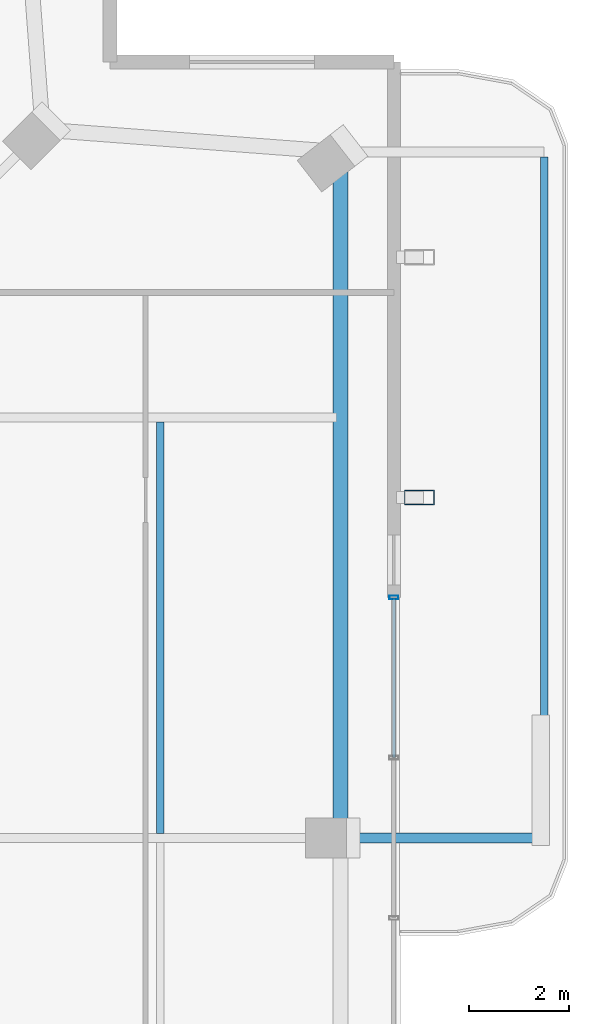
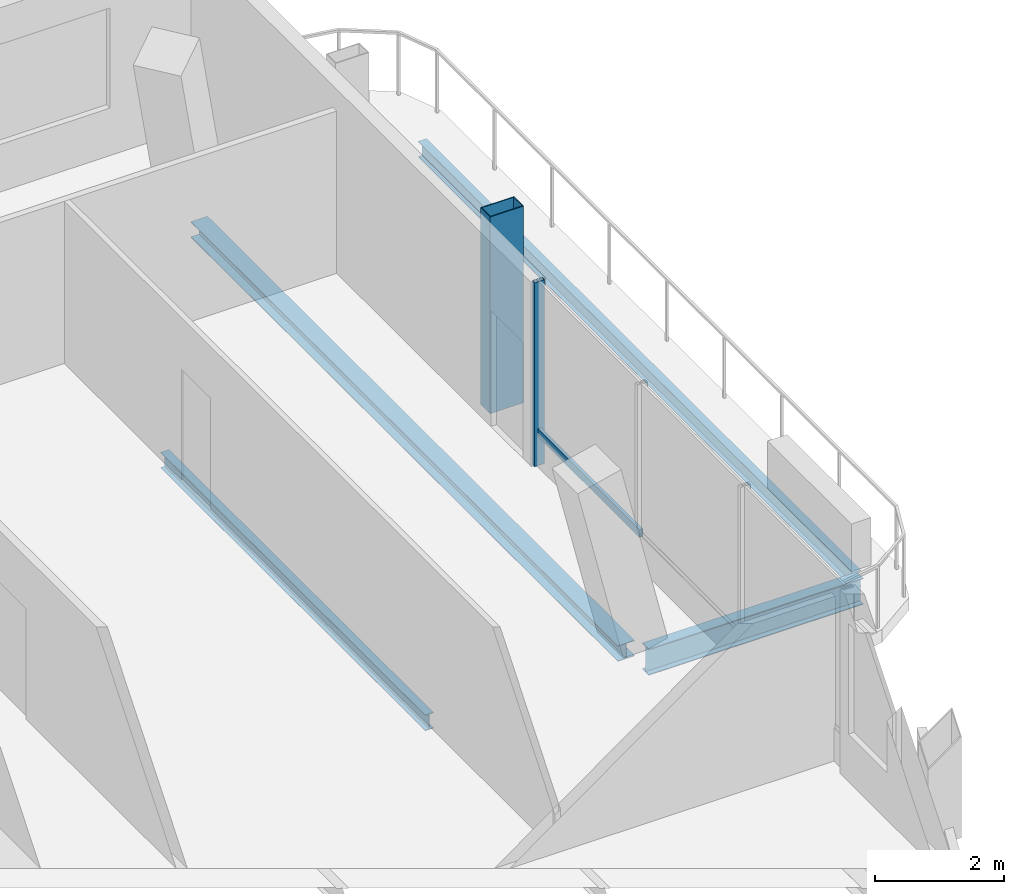
# One storey, part 10 of 20: 4 beams, 3 members, 1 element without a shape of its own.
"""IFC4 building model written with IfcOpenShell, lengths in metres."""

from ifc_helpers import new_model, si_unit, direction, frame, origin, origin_2d, place, context, subcontext, project, spatial, hollow_rectangle, i_section, extrude, material, layer, layer_set, material_profile, profile_set, type_object, element, aggregate, save


model = new_model("IFC4")

# Units and contexts
model_context = context("Model", 3, precision=1e-05, world=origin(), true_north=direction((0.0, 1.0)))
body_context = subcontext(model_context, "Body", "Model", "MODEL_VIEW")
ifc_project = project(units=[si_unit("LENGTHUNIT", "METRE"), si_unit("AREAUNIT", "SQUARE_METRE"), si_unit("VOLUMEUNIT", "CUBIC_METRE"), si_unit("PLANEANGLEUNIT", "RADIAN"), si_unit("MASSUNIT", "GRAM", prefix="KILO")], contexts=[model_context])

# Site, building, storey
site_placement = place(None, origin())
site = spatial("IfcSite", under=ifc_project, at=site_placement, CompositionType="ELEMENT")
building_placement = place(site_placement, origin())
building = spatial("IfcBuilding", under=site, at=building_placement, Name="Belovzor Exchange Tower", CompositionType="ELEMENT")
storey_placement = place(building_placement, frame((0.0, 0.0, 351.75)))
storey = spatial("IfcBuildingStorey", under=building, at=storey_placement, Name="L88", CompositionType="ELEMENT", Elevation=351.75)

# Beams
ifc_material_1 = material(Name="Steel S355", Category="steel")
ifc_material_profile_1 = material_profile(ifc_material_1, i_section(OverallWidth=0.199951171875, OverallDepth=0.5, WebThickness=0.01025390625, FlangeThickness=0.01611328125, at=origin_2d()))
ifc_profile_set_1 = profile_set([ifc_material_profile_1], Name="Steel S355")
beam_type_1 = type_object("IfcBeamType", Name="Planted Balcony Cantilever Beam IPE 500", PredefinedType="BEAM", material=ifc_profile_set_1)
beam_1_placement = place(storey_placement, frame((49.1201171875, 28.800048828125, -0.489990234375), z_axis=(1.0, 0.0, 0.0), x_axis=(0.0, 1.0, 0.0)))
element("IfcBeam", 1, at=beam_1_placement, inside=storey, type_object=beam_type_1, Name="BC-500 Planted Balcony Cantilever Beam IPE 500", PredefinedType="BEAM", context=body_context, shape_type="SweptSolid", body=[
    extrude(i_section(OverallWidth=0.199951171875, OverallDepth=0.5, WebThickness=0.01025390625, FlangeThickness=0.01611328125, at=origin_2d()), origin(), (0.0, 0.0, 1.0), 3.849853515625),
])
ifc_material_2 = material(Name="Steel S355", Category="steel")
ifc_material_profile_2 = material_profile(ifc_material_2, i_section(OverallWidth=0.14990234375, OverallDepth=0.300048828125, WebThickness=0.007080078125, FlangeThickness=0.0107421875, at=origin_2d()))
ifc_profile_set_2 = profile_set([ifc_material_profile_2], Name="Steel S355")
beam_type_2 = type_object("IfcBeamType", Name="Planted Balcony Fascia Edge Beam IPE 300", PredefinedType="BEAM", material=ifc_profile_set_2)
beam_2_placement = place(storey_placement, frame((52.969970703125, 28.89990234375, -0.389892578125), z_axis=(0.0, 1.0, 0.0), x_axis=(-1.0, 0.0, 0.0)))
element("IfcBeam", 2, at=beam_2_placement, inside=storey, type_object=beam_type_2, Name="BC-300 Planted Balcony Fascia Edge Beam IPE 300", PredefinedType="BEAM", context=body_context, shape_type="SweptSolid", body=[
    extrude(i_section(OverallWidth=0.14990234375, OverallDepth=0.300048828125, WebThickness=0.007080078125, FlangeThickness=0.0107421875, at=origin_2d()), origin(), (0.0, 0.0, 1.0), 13.5),
])
ifc_material_3 = material(Name="Steel S355", Category="steel")
ifc_material_profile_3 = material_profile(ifc_material_3, i_section(OverallWidth=0.14990234375, OverallDepth=0.300048828125, WebThickness=0.007080078125, FlangeThickness=0.0107421875, at=origin_2d()))
ifc_profile_set_3 = profile_set([ifc_material_profile_3], Name="Steel S355")
beam_type_3 = type_object("IfcBeamType", Name="Secondary Trim Floor Joist IPE 300", PredefinedType="BEAM", material=ifc_profile_set_3)
beam_3_placement = place(storey_placement, frame((45.297119140625, 28.889892578125, -0.389892578125), z_axis=(0.0, 1.0, 0.0), x_axis=(-1.0, 0.0, 0.0)))
element("IfcBeam", 3, at=beam_3_placement, inside=storey, type_object=beam_type_3, Name="FJ-300 Secondary Trim Floor Joist IPE 300", PredefinedType="BEAM", context=body_context, shape_type="SweptSolid", body=[
    extrude(i_section(OverallWidth=0.14990234375, OverallDepth=0.300048828125, WebThickness=0.007080078125, FlangeThickness=0.0107421875, at=origin_2d()), origin(), (0.0, 0.0, 1.0), 8.22021484375),
])

# Curtain wall, members
ifc_material_4 = material(Name="Anodised Aluminium Framing", Category="aluminium")
ifc_layer = layer(ifc_material_4, 0.179931640625)
ifc_layer_set = layer_set([ifc_layer], Name="Anodised Aluminium Framing")
curtain_wall_type = type_object("IfcCurtainWallType", Name="Recessed Loggia Low-Iron Triple-Glazed Curtain Wall", PredefinedType="NOTDEFINED", material=ifc_layer_set)
curtain_wall_placement = place(storey_placement, origin())
curtain_wall = element("IfcCurtainWall", 4, at=curtain_wall_placement, inside=storey, type_object=curtain_wall_type, Name="CW3 Recessed Loggia Low-Iron Triple-Glazed Curtain Wall L88", PredefinedType="NOTDEFINED")
ifc_material_5 = material(Name="Steel S355", Category="steel")
ifc_material_profile_4 = material_profile(ifc_material_5, hollow_rectangle(XDim=0.074951171875, YDim=0.179931640625, WallThickness=0.0048828125, at=origin_2d()))
ifc_profile_set_4 = profile_set([ifc_material_profile_4], Name="Steel S355")
member_type_1 = type_object("IfcMemberType", Name="Thermally Broken Curtain Wall Mullion 180x75", PredefinedType="MULLION", material=ifc_profile_set_4)
member_1_placement = place(storey_placement, frame((49.969970703125, 33.60009765625, 0.0), z_axis=(0.0, 0.0, 1.0), x_axis=(0.0, -1.0, 0.0)))
member_1 = element("IfcMember", 5, at=member_1_placement, type_object=member_type_1, Name="CW-M180 Curtain Wall Mullion 1", PredefinedType="MULLION", context=body_context, shape_type="SweptSolid", body=[
    extrude(hollow_rectangle(XDim=0.074951171875, YDim=0.179931640625, WallThickness=0.0048828125, at=origin_2d()), origin(), (0.0, 0.0, 1.0), 3.489990234375),
])
ifc_material_6 = material(Name="Steel S355", Category="steel")
ifc_material_profile_5 = material_profile(ifc_material_6, hollow_rectangle(XDim=0.06005859375, YDim=0.14990234375, WallThickness=0.00390625, at=origin_2d()))
ifc_profile_set_5 = profile_set([ifc_material_profile_5], Name="Steel S355")
member_type_2 = type_object("IfcMemberType", Name="Thermally Broken Curtain Wall Transom 150x60", PredefinedType="USERDEFINED", material=ifc_profile_set_5)
member_2_placement = place(storey_placement, frame((49.969970703125, 33.592041015625, 0.6279296875), z_axis=(0.0, -1.0, 0.0), x_axis=(1.0, 0.0, 0.0)))
member_2 = element("IfcMember", 6, at=member_2_placement, type_object=member_type_2, Name="CW-T150 Curtain Wall Transom 1", ObjectType="TRANSOM", PredefinedType="USERDEFINED", context=body_context, shape_type="SweptSolid", body=[
    extrude(hollow_rectangle(XDim=0.06005859375, YDim=0.14990234375, WallThickness=0.00390625, at=origin_2d()), origin(), (0.0, 0.0, 1.0), 3.18408203125),
])
aggregate(curtain_wall, [member_1, member_2])

# Member
ifc_material_7 = material(Name="Extruded Architectural Terracotta on Steel S355 Carrier", Category="masonry")
ifc_material_profile_6 = material_profile(ifc_material_7, hollow_rectangle(XDim=0.300048828125, YDim=0.60009765625, WallThickness=0.01611328125, at=origin_2d()))
ifc_profile_set_6 = profile_set([ifc_material_profile_6], Name="Extruded Architectural Terracotta on Steel S355 Carrier")
member_type_3 = type_object("IfcMemberType", Name="Upper Crown Terracotta Fin Assembly 550", PredefinedType="USERDEFINED", material=ifc_profile_set_6)
member_3_placement = place(storey_placement, frame((50.47509765625, 35.60009765625, -0.239990234375), z_axis=(0.0, 0.0, 1.0), x_axis=(0.0, 1.0, 0.0)))
element("IfcMember", 7, at=member_3_placement, inside=storey, type_object=member_type_3, Name="FIN-TC055 Terracotta Facade Fin L88 E3", ObjectType="FIN", PredefinedType="USERDEFINED", context=body_context, shape_type="SweptSolid", body=[
    extrude(hollow_rectangle(XDim=0.300048828125, YDim=0.60009765625, WallThickness=0.01611328125, at=origin_2d()), origin(), (0.0, 0.0, 1.0), 3.72998046875),
])

# Beam
ifc_material_8 = material(Name="Steel S355", Category="steel")
ifc_material_profile_7 = material_profile(ifc_material_8, i_section(OverallWidth=0.300048828125, OverallDepth=0.300048828125, WebThickness=0.008544921875, FlangeThickness=0.013916015625, at=origin_2d()))
ifc_profile_set_7 = profile_set([ifc_material_profile_7], Name="Steel S355")
beam_type_4 = type_object("IfcBeamType", Name="Zone 6 Primary Girder HEA 300", PredefinedType="BEAM", material=ifc_profile_set_7)
beam_4_placement = place(storey_placement, frame((48.89990234375, 29.02001953125, -0.389892578125), z_axis=(0.0, 1.0, 0.0), x_axis=(-1.0, 0.0, 0.0)))
element("IfcBeam", 8, at=beam_4_placement, inside=storey, type_object=beam_type_4, Name="FG-Z6 Zone 6 Primary Girder HEA 300", PredefinedType="BEAM", context=body_context, shape_type="SweptSolid", body=[
    extrude(i_section(OverallWidth=0.300048828125, OverallDepth=0.300048828125, WebThickness=0.008544921875, FlangeThickness=0.013916015625, at=origin_2d()), origin(), (0.0, 0.0, 1.0), 13.260009765625),
])

save(model, "model.ifc")
